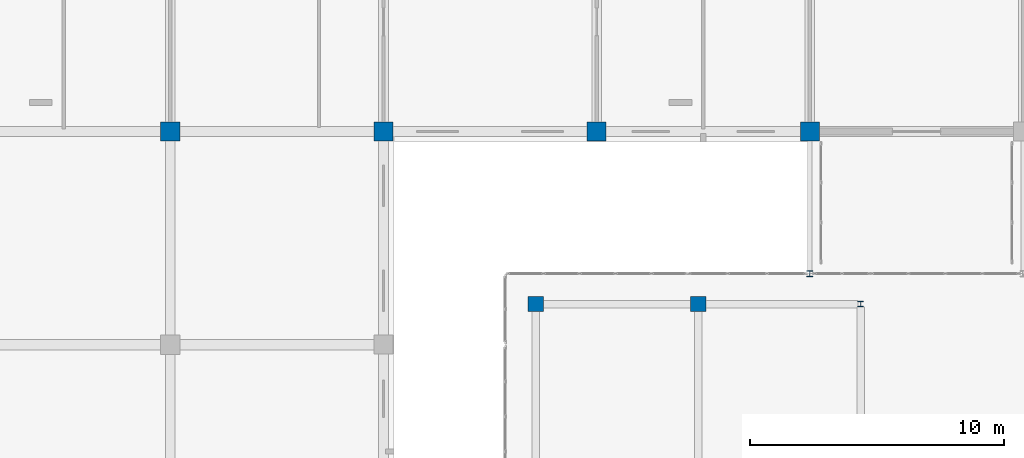
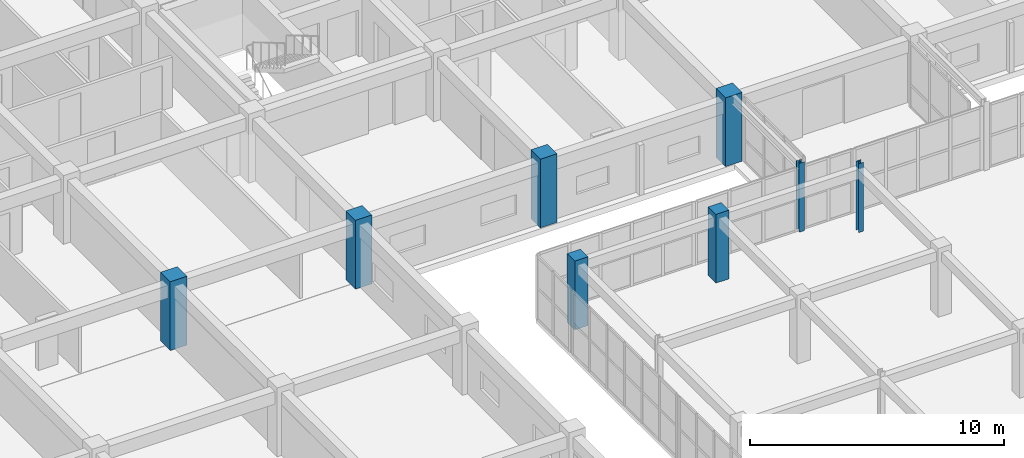
# One storey, part 17 of 200: 8 columns.
"""IFC4 building model written with IfcOpenShell, lengths in metres."""

from ifc_helpers import new_model, si_unit, direction, frame, origin, origin_2d, place, context, subcontext, project, spatial, rectangle, i_section, extrude, material, material_profile, profile_set, type_object, element, save


model = new_model("IFC4")

# Units and contexts
model_context = context("Model", 3, precision=1e-05, world=origin(), true_north=direction((0.0, 1.0)))
body_context = subcontext(model_context, "Body", "Model", "MODEL_VIEW")
ifc_project = project(units=[si_unit("LENGTHUNIT", "METRE"), si_unit("AREAUNIT", "SQUARE_METRE"), si_unit("VOLUMEUNIT", "CUBIC_METRE"), si_unit("PLANEANGLEUNIT", "RADIAN"), si_unit("MASSUNIT", "GRAM", prefix="KILO")], contexts=[model_context])

# Site, building, storey
site_placement = place(None, origin())
site = spatial("IfcSite", under=ifc_project, at=site_placement, CompositionType="ELEMENT")
building_placement = place(site_placement, origin())
building = spatial("IfcBuilding", under=site, at=building_placement, Name="Trelvath General Hospital", CompositionType="ELEMENT")
storey_placement = place(building_placement, frame((0.0, 0.0, 4.800048828125)))
storey = spatial("IfcBuildingStorey", under=building, at=storey_placement, Name="L01", CompositionType="ELEMENT", Elevation=4.800048828125)

# Columns
ifc_material_1 = material(Name="Steel S355", Category="steel")
ifc_material_profile_1 = material_profile(ifc_material_1, i_section(OverallWidth=0.239990234375, OverallDepth=0.22998046875, WebThickness=0.007568359375, FlangeThickness=0.011962890625, at=origin_2d()), Name="HEA240")
ifc_profile_set_1 = profile_set([ifc_material_profile_1], Name="Steel S355")
column_type_1 = type_object("IfcColumnType", Name="BridgeColumn HEA240", PredefinedType="COLUMN", material=ifc_profile_set_1)
column_1_placement = place(storey_placement, frame((58.800048828125, 86.800048828125, 0.0), z_axis=(0.0, 0.0, 1.0), x_axis=(1.0, 0.0, 0.0)))
element("IfcColumn", 1, at=column_1_placement, inside=storey, type_object=column_type_1, Name="Bridge Portal Column BC-05 L01", PredefinedType="COLUMN", context=body_context, shape_type="SweptSolid", body=[
    extrude(i_section(OverallWidth=0.239990234375, OverallDepth=0.22998046875, WebThickness=0.007568359375, FlangeThickness=0.011962890625, at=origin_2d()), origin(), (0.0, 0.0, 1.0), 3.300048828125),
])
ifc_material_2 = material(Name="Concrete C40/50", Category="concrete")
ifc_material_profile_2 = material_profile(ifc_material_2, rectangle(XDim=0.60009765625, YDim=0.60009765625, at=origin_2d()), Name="RC600x600")
ifc_profile_set_2 = profile_set([ifc_material_profile_2], Name="Concrete C40/50")
column_type_2 = type_object("IfcColumnType", Name="Column RC600", PredefinedType="COLUMN", material=ifc_profile_set_2)
for number, where, z_axis, x_axis, name in (
    (2, (48.0, 85.60009765625, 0.0), (0.0, 0.0, 1.0), (1.0, 0.0, 0.0), "Cube Interior Column CC-W28 L01"),
    (3, (54.39990234375, 85.60009765625, 0.0), (0.0, 0.0, 1.0), (1.0, 0.0, 0.0), "Cube Interior Column CC-W35 L01"),
):
    element("IfcColumn", number, at=place(storey_placement, frame(where, z_axis=z_axis, x_axis=x_axis)), inside=storey, type_object=column_type_2, Name=name, PredefinedType="COLUMN", context=body_context, shape_type="SweptSolid", body=[
        extrude(rectangle(XDim=0.60009765625, YDim=0.60009765625, at=origin_2d()), origin(), (0.0, 0.0, 1.0), 3.300048828125),
    ])
ifc_material_3 = material(Name="Concrete C40/50", Category="concrete")
ifc_material_profile_3 = material_profile(ifc_material_3, rectangle(XDim=0.75, YDim=0.75, at=origin_2d()), Name="RC750x750")
ifc_profile_set_3 = profile_set([ifc_material_profile_3], Name="Concrete C40/50")
column_type_3 = type_object("IfcColumnType", Name="Column RC750", PredefinedType="COLUMN", material=ifc_profile_set_3)
for number, where, z_axis, x_axis, name in (
    (4, (42.0, 92.39990234375, 0.0), (0.0, 0.0, 1.0), (1.0, 0.0, 0.0), "Column C-6L L01"),
    (5, (50.39990234375, 92.39990234375, 0.0), (0.0, 0.0, 1.0), (1.0, 0.0, 0.0), "Column C-7L L01"),
    (6, (58.800048828125, 92.39990234375, 0.0), (0.0, 0.0, 1.0), (1.0, 0.0, 0.0), "Column C-8L L01"),
):
    element("IfcColumn", number, at=place(storey_placement, frame(where, z_axis=z_axis, x_axis=x_axis)), inside=storey, type_object=column_type_3, Name=name, PredefinedType="COLUMN", context=body_context, shape_type="SweptSolid", body=[
        extrude(rectangle(XDim=0.75, YDim=0.75, at=origin_2d()), origin(), (0.0, 0.0, 1.0), 3.300048828125),
    ])
ifc_material_4 = material(Name="Concrete C40/50", Category="concrete")
ifc_material_profile_4 = material_profile(ifc_material_4, rectangle(XDim=0.760009765625, YDim=0.760009765625, at=origin_2d()), Name="RC760x760")
ifc_profile_set_4 = profile_set([ifc_material_profile_4], Name="Concrete C40/50")
column_type_4 = type_object("IfcColumnType", Name="Column RC760", PredefinedType="COLUMN", material=ifc_profile_set_4)
column_2_placement = place(storey_placement, frame((33.60009765625, 92.39990234375, 0.0), z_axis=(0.0, 0.0, 1.0), x_axis=(1.0, 0.0, 0.0)))
element("IfcColumn", 7, at=column_2_placement, inside=storey, type_object=column_type_4, Name="Column C-5L L01", PredefinedType="COLUMN", context=body_context, shape_type="SweptSolid", body=[
    extrude(rectangle(XDim=0.760009765625, YDim=0.760009765625, at=origin_2d()), origin(), (0.0, 0.0, 1.0), 3.300048828125),
])
ifc_material_5 = material(Name="Steel S355", Category="steel")
ifc_material_profile_5 = material_profile(ifc_material_5, i_section(OverallWidth=0.219970703125, OverallDepth=0.219970703125, WebThickness=0.009521484375, FlangeThickness=0.01611328125, at=origin_2d()), Name="HEB220")
ifc_profile_set_5 = profile_set([ifc_material_profile_5], Name="Steel S355")
column_type_5 = type_object("IfcColumnType", Name="CubePost HEB220", PredefinedType="COLUMN", material=ifc_profile_set_5)
column_3_placement = place(storey_placement, frame((60.800048828125, 85.60009765625, 0.0), z_axis=(0.0, 0.0, 1.0), x_axis=(1.0, 0.0, 0.0)))
element("IfcColumn", 8, at=column_3_placement, inside=storey, type_object=column_type_5, Name="Cube Interior Column CC-W42 L01", PredefinedType="COLUMN", context=body_context, shape_type="SweptSolid", body=[
    extrude(i_section(OverallWidth=0.219970703125, OverallDepth=0.219970703125, WebThickness=0.009521484375, FlangeThickness=0.01611328125, at=origin_2d()), origin(), (0.0, 0.0, 1.0), 3.300048828125),
])

save(model, "model.ifc")
